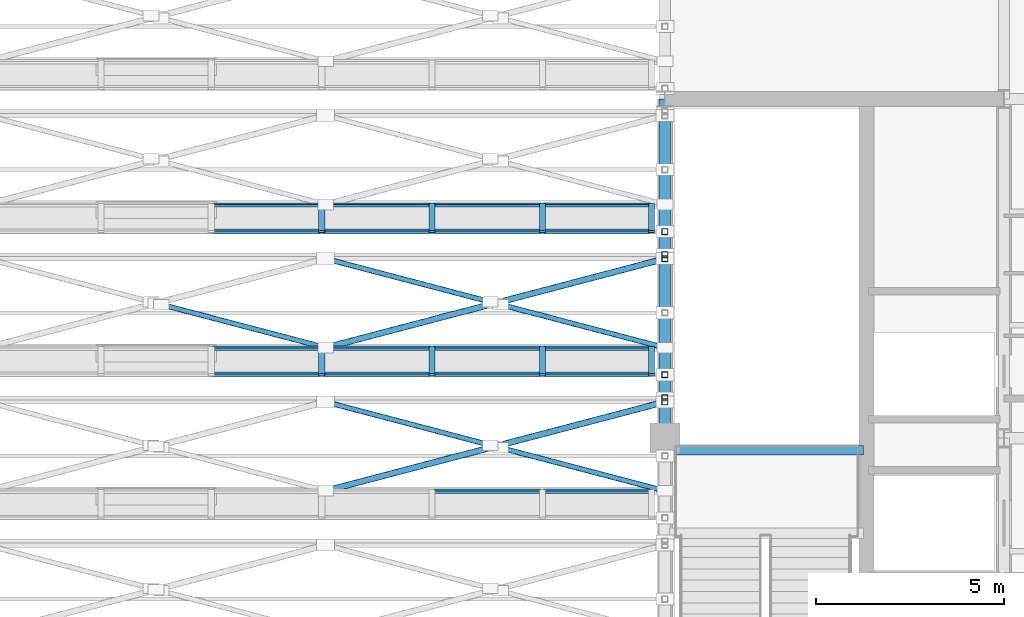
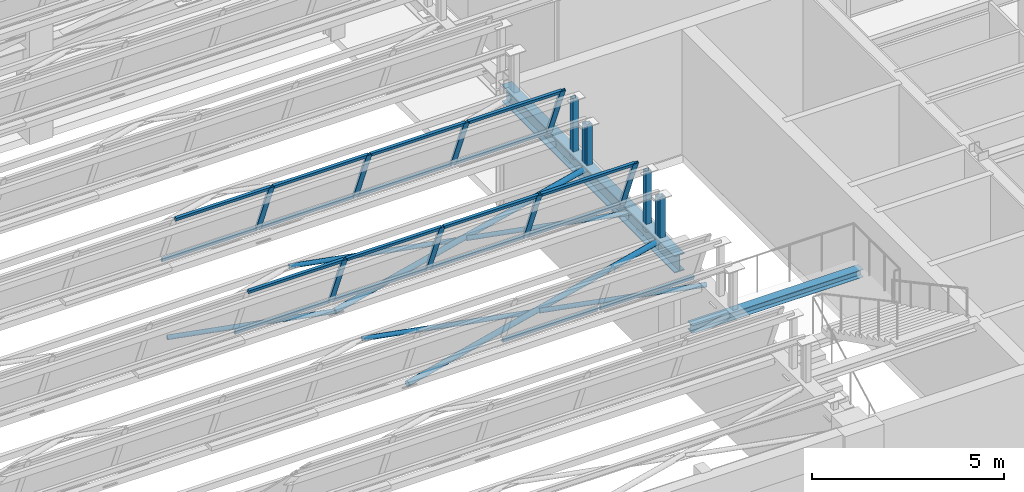
# One storey, part 20 of 108: 39 members, 2 beams, 3 elements without a shape of their own.
"""IFC4 building model written with IfcOpenShell, lengths in metres."""

from ifc_helpers import new_model, si_unit, direction, frame, origin, origin_2d, place, context, subcontext, project, spatial, hollow_rectangle, hollow_circle, i_section, extrude, material, material_profile, profile_set, type_object, element, aggregate, save


model = new_model("IFC4")

# Units and contexts
model_context = context("Model", 3, precision=1e-05, world=origin(), true_north=direction((0.0, 1.0)))
body_context = subcontext(model_context, "Body", "Model", "MODEL_VIEW")
ifc_project = project(units=[si_unit("LENGTHUNIT", "METRE"), si_unit("AREAUNIT", "SQUARE_METRE"), si_unit("VOLUMEUNIT", "CUBIC_METRE"), si_unit("PLANEANGLEUNIT", "RADIAN"), si_unit("MASSUNIT", "GRAM", prefix="KILO")], contexts=[model_context])

# Site, building, storey
site_placement = place(None, origin())
site = spatial("IfcSite", under=ifc_project, at=site_placement, CompositionType="ELEMENT")
building_placement = place(site_placement, origin())
building = spatial("IfcBuilding", under=site, at=building_placement, Name="Lykobir Media Centre", CompositionType="ELEMENT")
storey_placement = place(building_placement, frame((0.0, 0.0, 15.0)))
storey = spatial("IfcBuildingStorey", under=building, at=storey_placement, Name="L03", CompositionType="ELEMENT", Elevation=15.0)

# Beams
ifc_material_1 = material(Name="Steel S355", Category="steel")
ifc_material_profile_1 = material_profile(ifc_material_1, i_section(OverallWidth=0.300048828125, OverallDepth=0.550048828125, WebThickness=0.014892578125, FlangeThickness=0.029052734375, at=origin_2d()), Name="HEB 550")
ifc_profile_set_1 = profile_set([ifc_material_profile_1], Name="Steel S355")
beam_type_1 = type_object("IfcBeamType", Name="BM-SAW550", PredefinedType="BEAM", material=ifc_profile_set_1)
beam_1_placement = place(storey_placement, frame((27.0, 9.0, 3.675048828125), z_axis=(0.0, 1.0, 0.0), x_axis=(-1.0, 0.0, 0.0)))
element("IfcBeam", 1, at=beam_1_placement, inside=storey, type_object=beam_type_1, Name="Beam BM-L03-0270-0090-0270-0180-1868", PredefinedType="BEAM", context=body_context, shape_type="SweptSolid", body=[
    extrude(i_section(OverallWidth=0.300048828125, OverallDepth=0.550048828125, WebThickness=0.014892578125, FlangeThickness=0.029052734375, at=origin_2d()), origin(), (0.0, 0.0, 1.0), 9.0),
])
ifc_material_profile_2 = material_profile(ifc_material_1, i_section(OverallWidth=0.260009765625, OverallDepth=0.25, WebThickness=0.007568359375, FlangeThickness=0.012451171875, at=origin_2d()), Name="HEA 260")
ifc_profile_set_2 = profile_set([ifc_material_profile_2], Name="Steel S355")
beam_type_2 = type_object("IfcBeamType", Name="BM-ST260", PredefinedType="BEAM", material=ifc_profile_set_2)
beam_2_placement = place(storey_placement, frame((27.1298828125, 8.679931640625, 1.780029296875), z_axis=(1.0, 0.0, 0.0), x_axis=(0.0, 1.0, 0.0)))
element("IfcBeam", 2, at=beam_2_placement, inside=storey, type_object=beam_type_2, Name="ST-1 L03 half-landing support beam", PredefinedType="BEAM", context=body_context, shape_type="SweptSolid", body=[
    extrude(i_section(OverallWidth=0.260009765625, OverallDepth=0.25, WebThickness=0.007568359375, FlangeThickness=0.012451171875, at=origin_2d()), origin(), (0.0, 0.0, 1.0), 5.14013671875),
])

# Members
ifc_material_profile_3 = material_profile(ifc_material_1, hollow_circle(Radius=0.06982421875, WallThickness=0.008056640625, at=origin_2d()), Name="CHS 139.7x8.0")
ifc_profile_set_3 = profile_set([ifc_material_profile_3], Name="Steel S355")
member_type_1 = type_object("IfcMemberType", Name="BR-CHS140", PredefinedType="BRACE", material=ifc_profile_set_3)
for number, where, z_axis, x_axis, name in (
    (3, (27.0, 7.60009765625, 3.840087890625), (-0.967266997824, 0.253760822274, 0.0), (-0.253760822274, -0.967266997824, 0.0), "Diagonal brace MEM2-L03-0270-0076-0188-0226-0087-0195"),
    (4, (22.364501953125, 8.816162109375, 3.840087890625), (-0.967266997824, 0.253760822274, 0.0), (-0.253760822274, -0.967266997824, 0.0), "Diagonal brace MEM2-L03-0224-0088-0188-0180-0100-0196"),
    (5, (18.0, 11.39990234375, 3.840087890625), (-0.967253715929, 0.253811443834, 0.0), (-0.253811443834, -0.967253715929, 0.0), "Diagonal brace MEM2-L03-0180-0114-0188-0136-0125-0212"),
    (6, (27.0, 11.39990234375, 3.840087890625), (-0.967253715929, 0.253811443834, 0.0), (-0.253811443834, -0.967253715929, 0.0), "Diagonal brace MEM2-L03-0270-0114-0188-0226-0125-0215"),
    (7, (22.364501953125, 12.6162109375, 3.840087890625), (-0.967266997824, 0.253760822274, 0.0), (-0.253760822274, -0.967266997824, 0.0), "Diagonal brace MEM2-L03-0224-0126-0188-0180-0138-0216"),
):
    element("IfcMember", number, at=place(storey_placement, frame(where, z_axis=z_axis, x_axis=x_axis)), inside=storey, type_object=member_type_1, Name=name, PredefinedType="BRACE", context=body_context, shape_type="SweptSolid", body=[
        extrude(hollow_circle(Radius=0.06982421875, WallThickness=0.008056640625, at=origin_2d()), origin(), (0.0, 0.0, 1.0), 4.51220703125),
    ])
ifc_material_profile_4 = material_profile(ifc_material_1, hollow_circle(Radius=0.084228515625, WallThickness=0.010009765625, at=origin_2d()), Name="CHS 168.3x10.0")
ifc_profile_set_4 = profile_set([ifc_material_profile_4], Name="Steel S355")
member_type_2 = type_object("IfcMemberType", Name="BR-CHS168", PredefinedType="BRACE", material=ifc_profile_set_4)
member_1_placement = place(storey_placement, frame((18.0, 7.60009765625, 3.840087890625), z_axis=(0.967268328265, 0.25375575094, 0.0), x_axis=(-0.25375575094, 0.967268328265, 0.0)))
element("IfcMember", 8, at=member_1_placement, inside=storey, type_object=member_type_2, Name="Diagonal brace MEM2-L03-0180-0076-0188-0270-0100-0194", PredefinedType="BRACE", context=body_context, shape_type="SweptSolid", body=[
    extrude(hollow_circle(Radius=0.084228515625, WallThickness=0.010009765625, at=origin_2d()), origin(), (0.0, 0.0, 1.0), 9.304443359375),
])
member_2_placement = place(storey_placement, frame((18.0, 11.39990234375, 3.840087890625), z_axis=(0.967261887678, 0.253780299957, 0.0), x_axis=(-0.253780299957, 0.967261887678, 0.0)))
element("IfcMember", 9, at=member_2_placement, inside=storey, type_object=member_type_2, Name="Diagonal brace MEM2-L03-0180-0114-0188-0270-0138-0214", PredefinedType="BRACE", context=body_context, shape_type="SweptSolid", body=[
    extrude(hollow_circle(Radius=0.084228515625, WallThickness=0.010009765625, at=origin_2d()), origin(), (0.0, 0.0, 1.0), 9.3046875),
])
ifc_material_profile_5 = material_profile(ifc_material_1, hollow_rectangle(XDim=0.159912109375, YDim=0.159912109375, WallThickness=0.008056640625, at=origin_2d()), Name="SHS 160x160x8")
ifc_profile_set_5 = profile_set([ifc_material_profile_5], Name="Steel S355")
member_type_3 = type_object("IfcMemberType", Name="BR-SHS160", PredefinedType="BRACE", material=ifc_profile_set_5)
member_3_placement = place(storey_placement, frame((27.0, 10.681396484375, 3.699951171875), z_axis=(0.0, 0.0, 1.0), x_axis=(1.0, 0.0, 0.0)))
element("IfcMember", 10, at=member_3_placement, inside=storey, type_object=member_type_3, Name="Diagonal brace MEM2-L03-0270-0107-0187-0270-0107-0183", PredefinedType="BRACE", context=body_context, shape_type="SweptSolid", body=[
    extrude(hollow_rectangle(XDim=0.159912109375, YDim=0.159912109375, WallThickness=0.008056640625, at=origin_2d()), origin(), (0.0, 0.0, 1.0), 1.928955078125),
])
member_4_placement = place(storey_placement, frame((27.0, 9.961181640625, 3.840087890625), z_axis=(0.0, 0.0, 1.0), x_axis=(1.0, 0.0, 0.0)))
element("IfcMember", 11, at=member_4_placement, inside=storey, type_object=member_type_3, Name="Diagonal brace MEM2-L03-0270-0100-0188-0270-0100-0185", PredefinedType="BRACE", context=body_context, shape_type="SweptSolid", body=[
    extrude(hollow_rectangle(XDim=0.159912109375, YDim=0.159912109375, WallThickness=0.008056640625, at=origin_2d()), origin(), (0.0, 0.0, 1.0), 1.4033203125),
])
member_5_placement = place(storey_placement, frame((27.0, 10.06787109375, 3.699951171875), z_axis=(0.0, 0.0, 1.0), x_axis=(1.0, 0.0, 0.0)))
element("IfcMember", 12, at=member_5_placement, inside=storey, type_object=member_type_3, Name="Diagonal brace MEM2-L03-0270-0101-0187-0270-0101-0200", PredefinedType="BRACE", context=body_context, shape_type="SweptSolid", body=[
    extrude(hollow_rectangle(XDim=0.159912109375, YDim=0.159912109375, WallThickness=0.008056640625, at=origin_2d()), origin(), (0.0, 0.0, 1.0), 1.472412109375),
])
member_6_placement = place(storey_placement, frame((27.0, 14.481201171875, 3.699951171875), z_axis=(0.0, 0.0, 1.0), x_axis=(1.0, 0.0, 0.0)))
element("IfcMember", 13, at=member_6_placement, inside=storey, type_object=member_type_3, Name="Diagonal brace MEM2-L03-0270-0145-0187-0270-0145-0203", PredefinedType="BRACE", context=body_context, shape_type="SweptSolid", body=[
    extrude(hollow_rectangle(XDim=0.159912109375, YDim=0.159912109375, WallThickness=0.008056640625, at=origin_2d()), origin(), (0.0, 0.0, 1.0), 1.928955078125),
])
member_7_placement = place(storey_placement, frame((27.0, 13.76123046875, 3.840087890625), z_axis=(0.0, 0.0, 1.0), x_axis=(1.0, 0.0, 0.0)))
element("IfcMember", 14, at=member_7_placement, inside=storey, type_object=member_type_3, Name="Diagonal brace MEM2-L03-0270-0138-0188-0270-0138-0205", PredefinedType="BRACE", context=body_context, shape_type="SweptSolid", body=[
    extrude(hollow_rectangle(XDim=0.159912109375, YDim=0.159912109375, WallThickness=0.008056640625, at=origin_2d()), origin(), (0.0, 0.0, 1.0), 1.4033203125),
])
member_8_placement = place(storey_placement, frame((27.0, 13.867919921875, 3.699951171875), z_axis=(0.0, 0.0, 1.0), x_axis=(1.0, 0.0, 0.0)))
element("IfcMember", 15, at=member_8_placement, inside=storey, type_object=member_type_3, Name="Diagonal brace MEM2-L03-0270-0139-0187-0270-0139-0220", PredefinedType="BRACE", context=body_context, shape_type="SweptSolid", body=[
    extrude(hollow_rectangle(XDim=0.159912109375, YDim=0.159912109375, WallThickness=0.008056640625, at=origin_2d()), origin(), (0.0, 0.0, 1.0), 1.472412109375),
])

# Curtain wall, members
ifc_material_2 = material(Name="Anodized Aluminium AW-6060", Category="aluminium")
curtain_wall_type = type_object("IfcCurtainWallType", Name="CW-NL-V1", PredefinedType="NOTDEFINED", material=ifc_material_2)
curtain_wall_1_placement = place(storey_placement, origin())
curtain_wall_1 = element("IfcCurtainWall", 16, at=curtain_wall_1_placement, inside=storey, type_object=curtain_wall_type, Name="Curtain wall CW-NL-V1-03", PredefinedType="NOTDEFINED")
ifc_material_profile_6 = material_profile(ifc_material_2, hollow_rectangle(XDim=0.070068359375, YDim=0.1650390625, WallThickness=0.00390625, at=origin_2d()), Name="ALU MULLION 70x165")
ifc_profile_set_6 = profile_set([ifc_material_profile_6], Name="Anodized Aluminium AW-6060")
member_type_4 = type_object("IfcMemberType", Name="CWM-165", PredefinedType="MULLION", material=ifc_profile_set_6)
member_9_placement = place(storey_placement, frame((17.893310546875, 11.39990234375, 4.199951171875), z_axis=(0.0, -0.374591377287, 0.927190002137), x_axis=(0.0, 0.927190002137, 0.374591377287)))
member_9 = element("IfcMember", 17, at=member_9_placement, type_object=member_type_4, Name="CW-NL-V1-03 mullion 7", PredefinedType="MULLION", context=body_context, shape_type="SweptSolid", body=[
    extrude(hollow_rectangle(XDim=0.070068359375, YDim=0.1650390625, WallThickness=0.00390625, at=origin_2d()), origin(), (0.0, 0.0, 1.0), 1.918701171875),
])
member_10_placement = place(storey_placement, frame((20.822265625, 11.39990234375, 4.199951171875), z_axis=(0.0, -0.374591377287, 0.927190002137), x_axis=(0.0, 0.927190002137, 0.374591377287)))
member_10 = element("IfcMember", 18, at=member_10_placement, type_object=member_type_4, Name="CW-NL-V1-03 mullion 8", PredefinedType="MULLION", context=body_context, shape_type="SweptSolid", body=[
    extrude(hollow_rectangle(XDim=0.070068359375, YDim=0.1650390625, WallThickness=0.00390625, at=origin_2d()), origin(), (0.0, 0.0, 1.0), 1.918701171875),
])
member_11_placement = place(storey_placement, frame((23.751220703125, 11.39990234375, 4.199951171875), z_axis=(0.0, -0.374591377287, 0.927190002137), x_axis=(0.0, 0.927190002137, 0.374591377287)))
member_11 = element("IfcMember", 19, at=member_11_placement, type_object=member_type_4, Name="CW-NL-V1-03 mullion 9", PredefinedType="MULLION", context=body_context, shape_type="SweptSolid", body=[
    extrude(hollow_rectangle(XDim=0.070068359375, YDim=0.1650390625, WallThickness=0.00390625, at=origin_2d()), origin(), (0.0, 0.0, 1.0), 1.918701171875),
])
member_12_placement = place(storey_placement, frame((26.64501953125, 11.39990234375, 4.199951171875), z_axis=(0.0, -0.374591377287, 0.927190002137), x_axis=(0.0, 0.927190002137, 0.374591377287)))
member_12 = element("IfcMember", 20, at=member_12_placement, type_object=member_type_4, Name="CW-NL-V1-03 mullion 10", PredefinedType="MULLION", context=body_context, shape_type="SweptSolid", body=[
    extrude(hollow_rectangle(XDim=0.070068359375, YDim=0.1650390625, WallThickness=0.00390625, at=origin_2d()), origin(), (0.0, 0.0, 1.0), 1.918701171875),
])

curtain_wall_2_placement = place(storey_placement, origin())
curtain_wall_2 = element("IfcCurtainWall", 21, at=curtain_wall_2_placement, inside=storey, type_object=curtain_wall_type, Name="Curtain wall CW-NL-V1-04", PredefinedType="NOTDEFINED")
member_13_placement = place(storey_placement, frame((17.893310546875, 15.199951171875, 4.199951171875), z_axis=(0.0, -0.374591377287, 0.927190002137), x_axis=(0.0, 0.927190002137, 0.374591377287)))
member_13 = element("IfcMember", 22, at=member_13_placement, type_object=member_type_4, Name="CW-NL-V1-04 mullion 7", PredefinedType="MULLION", context=body_context, shape_type="SweptSolid", body=[
    extrude(hollow_rectangle(XDim=0.070068359375, YDim=0.1650390625, WallThickness=0.00390625, at=origin_2d()), origin(), (0.0, 0.0, 1.0), 1.918701171875),
])
member_14_placement = place(storey_placement, frame((20.822265625, 15.199951171875, 4.199951171875), z_axis=(0.0, -0.374591377287, 0.927190002137), x_axis=(0.0, 0.927190002137, 0.374591377287)))
member_14 = element("IfcMember", 23, at=member_14_placement, type_object=member_type_4, Name="CW-NL-V1-04 mullion 8", PredefinedType="MULLION", context=body_context, shape_type="SweptSolid", body=[
    extrude(hollow_rectangle(XDim=0.070068359375, YDim=0.1650390625, WallThickness=0.00390625, at=origin_2d()), origin(), (0.0, 0.0, 1.0), 1.918701171875),
])
member_15_placement = place(storey_placement, frame((23.751220703125, 15.199951171875, 4.199951171875), z_axis=(0.0, -0.374591377287, 0.927190002137), x_axis=(0.0, 0.927190002137, 0.374591377287)))
member_15 = element("IfcMember", 24, at=member_15_placement, type_object=member_type_4, Name="CW-NL-V1-04 mullion 9", PredefinedType="MULLION", context=body_context, shape_type="SweptSolid", body=[
    extrude(hollow_rectangle(XDim=0.070068359375, YDim=0.1650390625, WallThickness=0.00390625, at=origin_2d()), origin(), (0.0, 0.0, 1.0), 1.918701171875),
])
member_16_placement = place(storey_placement, frame((26.64501953125, 15.199951171875, 4.199951171875), z_axis=(0.0, -0.374591377287, 0.927190002137), x_axis=(0.0, 0.927190002137, 0.374591377287)))
member_16 = element("IfcMember", 25, at=member_16_placement, type_object=member_type_4, Name="CW-NL-V1-04 mullion 10", PredefinedType="MULLION", context=body_context, shape_type="SweptSolid", body=[
    extrude(hollow_rectangle(XDim=0.070068359375, YDim=0.1650390625, WallThickness=0.00390625, at=origin_2d()), origin(), (0.0, 0.0, 1.0), 1.918701171875),
])

curtain_wall_3_placement = place(storey_placement, origin())
curtain_wall_3 = element("IfcCurtainWall", 26, at=curtain_wall_3_placement, inside=storey, type_object=curtain_wall_type, Name="Curtain wall CW-NL-V1-02", PredefinedType="NOTDEFINED")
ifc_material_profile_7 = material_profile(ifc_material_2, hollow_rectangle(XDim=0.070068359375, YDim=0.135009765625, WallThickness=0.00341796875, at=origin_2d()), Name="ALU TRANSOM 70x135")
ifc_profile_set_7 = profile_set([ifc_material_profile_7], Name="Anodized Aluminium AW-6060")
member_type_5 = type_object("IfcMemberType", Name="CWT-135", PredefinedType="USERDEFINED", material=ifc_profile_set_7)
member_17_placement = place(storey_placement, frame((20.857177734375, 7.5869140625, 4.232421875), z_axis=(1.0, 0.0, 0.0), x_axis=(0.0, 0.927183854567, 0.374606593416)))
member_17 = element("IfcMember", 27, at=member_17_placement, type_object=member_type_5, Name="CW-NL-V1-02 transom 8.1", ObjectType="TRANSOM", PredefinedType="USERDEFINED", context=body_context, shape_type="SweptSolid", body=[
    extrude(hollow_rectangle(XDim=0.070068359375, YDim=0.135009765625, WallThickness=0.00341796875, at=origin_2d()), origin(), (0.0, 0.0, 1.0), 2.85888671875),
])
member_18_placement = place(storey_placement, frame((23.7861328125, 7.5869140625, 4.232421875), z_axis=(1.0, 0.0, 0.0), x_axis=(0.0, 0.927183854567, 0.374606593416)))
member_18 = element("IfcMember", 28, at=member_18_placement, type_object=member_type_5, Name="CW-NL-V1-02 transom 9.1", ObjectType="TRANSOM", PredefinedType="USERDEFINED", context=body_context, shape_type="SweptSolid", body=[
    extrude(hollow_rectangle(XDim=0.070068359375, YDim=0.135009765625, WallThickness=0.00341796875, at=origin_2d()), origin(), (0.0, 0.0, 1.0), 2.823974609375),
])
aggregate(curtain_wall_3, [member_17, member_18])

# Member
member_19_placement = place(storey_placement, frame((14.99951171875, 11.386962890625, 4.232421875), z_axis=(1.0, 0.0, 0.0), x_axis=(0.0, 0.927183854567, 0.374606593416)))
member_19 = element("IfcMember", 29, at=member_19_placement, type_object=member_type_5, Name="CW-NL-V1-03 transom 6.1", ObjectType="TRANSOM", PredefinedType="USERDEFINED", context=body_context, shape_type="SweptSolid", body=[
    extrude(hollow_rectangle(XDim=0.070068359375, YDim=0.135009765625, WallThickness=0.00341796875, at=origin_2d()), origin(), (0.0, 0.0, 1.0), 2.85888671875),
])

member_20_placement = place(storey_placement, frame((14.99951171875, 10.6943359375, 5.946533203125), z_axis=(1.0, 0.0, 0.0), x_axis=(0.0, 0.927183854567, 0.374606593416)))
member_20 = element("IfcMember", 30, at=member_20_placement, type_object=member_type_5, Name="CW-NL-V1-03 transom 6.2", ObjectType="TRANSOM", PredefinedType="USERDEFINED", context=body_context, shape_type="SweptSolid", body=[
    extrude(hollow_rectangle(XDim=0.070068359375, YDim=0.135009765625, WallThickness=0.00341796875, at=origin_2d()), origin(), (0.0, 0.0, 1.0), 2.85888671875),
])

member_21_placement = place(storey_placement, frame((17.92822265625, 11.386962890625, 4.232421875), z_axis=(1.0, 0.0, 0.0), x_axis=(0.0, 0.927183854567, 0.374606593416)))
member_21 = element("IfcMember", 31, at=member_21_placement, type_object=member_type_5, Name="CW-NL-V1-03 transom 7.1", ObjectType="TRANSOM", PredefinedType="USERDEFINED", context=body_context, shape_type="SweptSolid", body=[
    extrude(hollow_rectangle(XDim=0.070068359375, YDim=0.135009765625, WallThickness=0.00341796875, at=origin_2d()), origin(), (0.0, 0.0, 1.0), 2.85888671875),
])

member_22_placement = place(storey_placement, frame((17.92822265625, 10.6943359375, 5.946533203125), z_axis=(1.0, 0.0, 0.0), x_axis=(0.0, 0.927183854567, 0.374606593416)))
member_22 = element("IfcMember", 32, at=member_22_placement, type_object=member_type_5, Name="CW-NL-V1-03 transom 7.2", ObjectType="TRANSOM", PredefinedType="USERDEFINED", context=body_context, shape_type="SweptSolid", body=[
    extrude(hollow_rectangle(XDim=0.070068359375, YDim=0.135009765625, WallThickness=0.00341796875, at=origin_2d()), origin(), (0.0, 0.0, 1.0), 2.85888671875),
])

member_23_placement = place(storey_placement, frame((20.857177734375, 11.386962890625, 4.232421875), z_axis=(1.0, 0.0, 0.0), x_axis=(0.0, 0.927183854567, 0.374606593416)))
member_23 = element("IfcMember", 33, at=member_23_placement, type_object=member_type_5, Name="CW-NL-V1-03 transom 8.1", ObjectType="TRANSOM", PredefinedType="USERDEFINED", context=body_context, shape_type="SweptSolid", body=[
    extrude(hollow_rectangle(XDim=0.070068359375, YDim=0.135009765625, WallThickness=0.00341796875, at=origin_2d()), origin(), (0.0, 0.0, 1.0), 2.85888671875),
])

member_24_placement = place(storey_placement, frame((20.857177734375, 10.6943359375, 5.946533203125), z_axis=(1.0, 0.0, 0.0), x_axis=(0.0, 0.927183854567, 0.374606593416)))
member_24 = element("IfcMember", 34, at=member_24_placement, type_object=member_type_5, Name="CW-NL-V1-03 transom 8.2", ObjectType="TRANSOM", PredefinedType="USERDEFINED", context=body_context, shape_type="SweptSolid", body=[
    extrude(hollow_rectangle(XDim=0.070068359375, YDim=0.135009765625, WallThickness=0.00341796875, at=origin_2d()), origin(), (0.0, 0.0, 1.0), 2.85888671875),
])

member_25_placement = place(storey_placement, frame((23.7861328125, 11.386962890625, 4.232421875), z_axis=(1.0, 0.0, 0.0), x_axis=(0.0, 0.927183854567, 0.374606593416)))
member_25 = element("IfcMember", 35, at=member_25_placement, type_object=member_type_5, Name="CW-NL-V1-03 transom 9.1", ObjectType="TRANSOM", PredefinedType="USERDEFINED", context=body_context, shape_type="SweptSolid", body=[
    extrude(hollow_rectangle(XDim=0.070068359375, YDim=0.135009765625, WallThickness=0.00341796875, at=origin_2d()), origin(), (0.0, 0.0, 1.0), 2.823974609375),
])

member_26_placement = place(storey_placement, frame((23.7861328125, 10.6943359375, 5.946533203125), z_axis=(1.0, 0.0, 0.0), x_axis=(0.0, 0.927183854567, 0.374606593416)))
member_26 = element("IfcMember", 36, at=member_26_placement, type_object=member_type_5, Name="CW-NL-V1-03 transom 9.2", ObjectType="TRANSOM", PredefinedType="USERDEFINED", context=body_context, shape_type="SweptSolid", body=[
    extrude(hollow_rectangle(XDim=0.070068359375, YDim=0.135009765625, WallThickness=0.00341796875, at=origin_2d()), origin(), (0.0, 0.0, 1.0), 2.823974609375),
])

aggregate(curtain_wall_1, [member_9, member_10, member_11, member_12, member_19, member_20, member_21, member_22, member_23, member_24, member_25, member_26])

member_27_placement = place(storey_placement, frame((14.99951171875, 15.18701171875, 4.232421875), z_axis=(1.0, 0.0, 0.0), x_axis=(0.0, 0.927183854567, 0.374606593416)))
member_27 = element("IfcMember", 37, at=member_27_placement, type_object=member_type_5, Name="CW-NL-V1-04 transom 6.1", ObjectType="TRANSOM", PredefinedType="USERDEFINED", context=body_context, shape_type="SweptSolid", body=[
    extrude(hollow_rectangle(XDim=0.070068359375, YDim=0.135009765625, WallThickness=0.00341796875, at=origin_2d()), origin(), (0.0, 0.0, 1.0), 2.85888671875),
])

member_28_placement = place(storey_placement, frame((14.99951171875, 14.494384765625, 5.946533203125), z_axis=(1.0, 0.0, 0.0), x_axis=(0.0, 0.927183854567, 0.374606593416)))
member_28 = element("IfcMember", 38, at=member_28_placement, type_object=member_type_5, Name="CW-NL-V1-04 transom 6.2", ObjectType="TRANSOM", PredefinedType="USERDEFINED", context=body_context, shape_type="SweptSolid", body=[
    extrude(hollow_rectangle(XDim=0.070068359375, YDim=0.135009765625, WallThickness=0.00341796875, at=origin_2d()), origin(), (0.0, 0.0, 1.0), 2.85888671875),
])

member_29_placement = place(storey_placement, frame((17.92822265625, 15.18701171875, 4.232421875), z_axis=(1.0, 0.0, 0.0), x_axis=(0.0, 0.927183854567, 0.374606593416)))
member_29 = element("IfcMember", 39, at=member_29_placement, type_object=member_type_5, Name="CW-NL-V1-04 transom 7.1", ObjectType="TRANSOM", PredefinedType="USERDEFINED", context=body_context, shape_type="SweptSolid", body=[
    extrude(hollow_rectangle(XDim=0.070068359375, YDim=0.135009765625, WallThickness=0.00341796875, at=origin_2d()), origin(), (0.0, 0.0, 1.0), 2.85888671875),
])

member_30_placement = place(storey_placement, frame((17.92822265625, 14.494384765625, 5.946533203125), z_axis=(1.0, 0.0, 0.0), x_axis=(0.0, 0.927183854567, 0.374606593416)))
member_30 = element("IfcMember", 40, at=member_30_placement, type_object=member_type_5, Name="CW-NL-V1-04 transom 7.2", ObjectType="TRANSOM", PredefinedType="USERDEFINED", context=body_context, shape_type="SweptSolid", body=[
    extrude(hollow_rectangle(XDim=0.070068359375, YDim=0.135009765625, WallThickness=0.00341796875, at=origin_2d()), origin(), (0.0, 0.0, 1.0), 2.85888671875),
])

member_31_placement = place(storey_placement, frame((20.857177734375, 15.18701171875, 4.232421875), z_axis=(1.0, 0.0, 0.0), x_axis=(0.0, 0.927183854567, 0.374606593416)))
member_31 = element("IfcMember", 41, at=member_31_placement, type_object=member_type_5, Name="CW-NL-V1-04 transom 8.1", ObjectType="TRANSOM", PredefinedType="USERDEFINED", context=body_context, shape_type="SweptSolid", body=[
    extrude(hollow_rectangle(XDim=0.070068359375, YDim=0.135009765625, WallThickness=0.00341796875, at=origin_2d()), origin(), (0.0, 0.0, 1.0), 2.85888671875),
])

member_32_placement = place(storey_placement, frame((20.857177734375, 14.494384765625, 5.946533203125), z_axis=(1.0, 0.0, 0.0), x_axis=(0.0, 0.927183854567, 0.374606593416)))
member_32 = element("IfcMember", 42, at=member_32_placement, type_object=member_type_5, Name="CW-NL-V1-04 transom 8.2", ObjectType="TRANSOM", PredefinedType="USERDEFINED", context=body_context, shape_type="SweptSolid", body=[
    extrude(hollow_rectangle(XDim=0.070068359375, YDim=0.135009765625, WallThickness=0.00341796875, at=origin_2d()), origin(), (0.0, 0.0, 1.0), 2.85888671875),
])

member_33_placement = place(storey_placement, frame((23.7861328125, 15.18701171875, 4.232421875), z_axis=(1.0, 0.0, 0.0), x_axis=(0.0, 0.927183854567, 0.374606593416)))
member_33 = element("IfcMember", 43, at=member_33_placement, type_object=member_type_5, Name="CW-NL-V1-04 transom 9.1", ObjectType="TRANSOM", PredefinedType="USERDEFINED", context=body_context, shape_type="SweptSolid", body=[
    extrude(hollow_rectangle(XDim=0.070068359375, YDim=0.135009765625, WallThickness=0.00341796875, at=origin_2d()), origin(), (0.0, 0.0, 1.0), 2.823974609375),
])

member_34_placement = place(storey_placement, frame((23.7861328125, 14.494384765625, 5.946533203125), z_axis=(1.0, 0.0, 0.0), x_axis=(0.0, 0.927183854567, 0.374606593416)))
member_34 = element("IfcMember", 44, at=member_34_placement, type_object=member_type_5, Name="CW-NL-V1-04 transom 9.2", ObjectType="TRANSOM", PredefinedType="USERDEFINED", context=body_context, shape_type="SweptSolid", body=[
    extrude(hollow_rectangle(XDim=0.070068359375, YDim=0.135009765625, WallThickness=0.00341796875, at=origin_2d()), origin(), (0.0, 0.0, 1.0), 2.823974609375),
])

aggregate(curtain_wall_2, [member_13, member_14, member_15, member_16, member_27, member_28, member_29, member_30, member_31, member_32, member_33, member_34])

save(model, "model.ifc")
